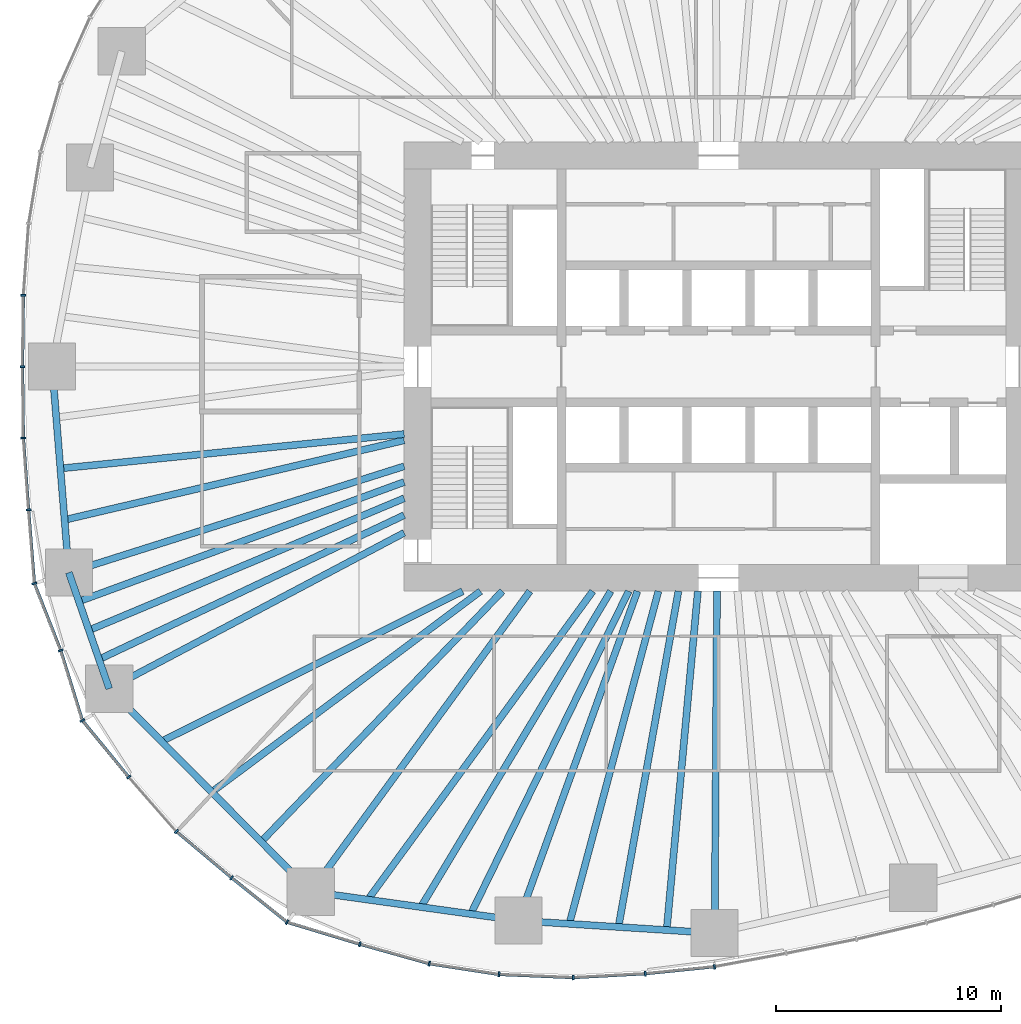
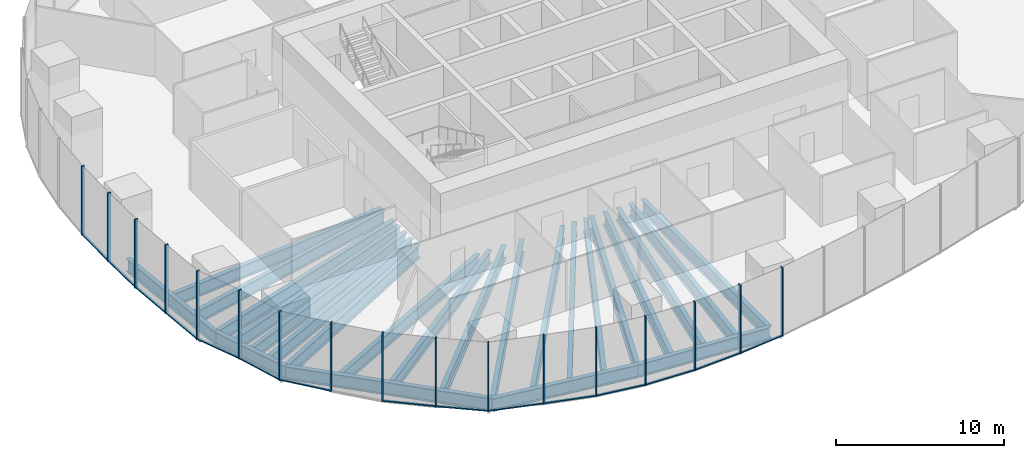
# One storey, part 2 of 20: 32 members, 24 beams, 7 elements without a shape of their own.
"""IFC4 building model written with IfcOpenShell, lengths in metres."""

import ifcopenshell
import ifcopenshell.guid

model = None  # the IFC model being written
_history = None  # IfcOwnerHistory: only IFC2X3 demands one
_inside = {}  # id of a spatial element -> (the spatial element, [elements in it])
_under = {}  # id of a project, library or spatial element -> (it, [spatial elements below it])
_declared = {}  # id of a project -> (the project, [libraries it declares])
_typed = {}  # id of a type object -> (the type object, [elements of that type])
_made_of = {}  # id of a material, layer set ... -> (it, [elements and type objects made of it])


def new_model(schema):
    """Start an empty IFC model of exactly this schema.

    Asked for "IFC4X3", IfcOpenShell would pick the latest addendum, in which some entities
    have other attributes; the version numbers below select the first issue.
    IFC2X3 requires an IfcOwnerHistory on every rooted entity: one is made here for all.
    """
    global model, _history
    if schema == "IFC4X3":
        model = ifcopenshell.file(schema_version=(4, 3, 0, 0))
    else:
        model = ifcopenshell.file(schema=schema)
    _inside.clear()
    _under.clear()
    _declared.clear()
    _typed.clear()
    _made_of.clear()
    _history = None
    if model.schema == "IFC2X3":
        org = make("IfcOrganization", Name="unknown")
        user = make(
            "IfcPersonAndOrganization",
            ThePerson=make("IfcPerson", FamilyName="unknown"),
            TheOrganization=org,
        )
        app = make(
            "IfcApplication",
            ApplicationDeveloper=org,
            Version="unknown",
            ApplicationFullName="unknown",
            ApplicationIdentifier="unknown",
        )
        _history = make(
            "IfcOwnerHistory",
            OwningUser=user,
            OwningApplication=app,
            ChangeAction="ADDED",
            CreationDate=0,
        )
    return model


def make(cls, **values):
    """One entity of the class cls with the attributes given. An attribute that is None is left unset."""
    return model.create_entity(
        cls, **{name: value for name, value in values.items() if value is not None}
    )


def rooted(cls, **values):
    """An entity with a GlobalId (a new one), such as an element, a storey or a relation."""
    return make(cls, GlobalId=ifcopenshell.guid.new(), OwnerHistory=_history, **values)


def si_unit(unit_type, name, prefix=None):
    """IfcSIUnit, for example si_unit("LENGTHUNIT", "METRE", prefix="MILLI")."""
    return make("IfcSIUnit", UnitType=unit_type, Prefix=prefix, Name=name)


def assignment(units):
    """IfcUnitAssignment: the units of a project."""
    return None if units is None else make("IfcUnitAssignment", Units=units)


def point(xyz):
    """IfcCartesianPoint."""
    return None if xyz is None else make("IfcCartesianPoint", Coordinates=xyz)


def direction(xyz):
    """IfcDirection."""
    return None if xyz is None else make("IfcDirection", DirectionRatios=xyz)


def frame(location, z_axis=None, x_axis=None):
    """IfcAxis2Placement3D, a coordinate frame: its origin and axes. An axis left out is left unset."""
    return make(
        "IfcAxis2Placement3D",
        Location=point(location),
        Axis=direction(z_axis),
        RefDirection=direction(x_axis),
    )


def frame_2d(location, x_axis=None):
    """IfcAxis2Placement2D, a coordinate frame in the plane: its origin and x axis."""
    return make(
        "IfcAxis2Placement2D", Location=point(location), RefDirection=direction(x_axis)
    )


def origin():
    """The frame at (0, 0, 0) with its axes left unset."""
    return frame((0.0, 0.0, 0.0))


def origin_2d():
    """The frame at (0, 0) in the plane with its x axis left unset."""
    return frame_2d((0.0, 0.0))


def place(relative_to, where):
    """IfcLocalPlacement: puts the frame where relative to a parent placement (None: the world)."""
    return make(
        "IfcLocalPlacement", PlacementRelTo=relative_to, RelativePlacement=where
    )


def context(
    kind, dimensions, precision=None, world=None, true_north=None, identifier=None
):
    """IfcGeometricRepresentationContext, for example the 3D "Model" context."""
    return make(
        "IfcGeometricRepresentationContext",
        ContextIdentifier=identifier,
        ContextType=kind,
        CoordinateSpaceDimension=dimensions,
        Precision=precision,
        WorldCoordinateSystem=world,
        TrueNorth=true_north,
    )


def subcontext(parent, identifier, kind, view, scale=None):
    """IfcGeometricRepresentationSubContext, for example "Body" below "Model"."""
    return make(
        "IfcGeometricRepresentationSubContext",
        ContextIdentifier=identifier,
        ContextType=kind,
        ParentContext=parent,
        TargetScale=scale,
        TargetView=view,
    )


def project(units=None, contexts=None):
    """IfcProject with its units and contexts."""
    return rooted(
        "IfcProject",
        Name="project",
        RepresentationContexts=contexts,
        UnitsInContext=assignment(units),
    )


def spatial(cls, under=None, at=None, **own):
    """A site, building, storey or space (cls), placed at a placement, below another one or the project."""
    s = rooted(cls, ObjectPlacement=at, **own)
    if under is not None:
        _under.setdefault(under.id(), (under, []))[1].append(s)
    return s


def profile(cls, at=None, kind="AREA", **sizes):
    """A parametric profile (cls). Its sizes go by their IFC names, for example OverallWidth=200.0."""
    return make(cls, ProfileType=kind, Position=at, **sizes)


def rectangle(**sizes):
    """IfcRectangleProfileDef."""
    return profile("IfcRectangleProfileDef", **sizes)


def i_section(**sizes):
    """IfcIShapeProfileDef."""
    return profile("IfcIShapeProfileDef", **sizes)


def extrude(swept, where, along, depth):
    """IfcExtrudedAreaSolid: the profile swept, set in the frame where, extruded along a direction by depth."""
    return make(
        "IfcExtrudedAreaSolid",
        SweptArea=swept,
        Position=where,
        ExtrudedDirection=direction(along),
        Depth=depth,
    )


def shape(context_of_items, identifier, shape_type, items):
    """IfcShapeRepresentation: the items that make up one representation, for example the "Body"."""
    return make(
        "IfcShapeRepresentation",
        ContextOfItems=context_of_items,
        RepresentationIdentifier=identifier,
        RepresentationType=shape_type,
        Items=items,
    )


def material(Name=None, Category=None):
    """IfcMaterial."""
    return make("IfcMaterial", Name=Name, Category=Category)


def material_profile(
    of_material, cross_section, Name=None, Category=None, Priority=None
):
    """IfcMaterialProfile: a cross section and its material."""
    return make(
        "IfcMaterialProfile",
        Name=Name,
        Material=of_material,
        Profile=cross_section,
        Priority=Priority,
        Category=Category,
    )


def profile_set(profiles, Name=None, composite=None):
    """IfcMaterialProfileSet."""
    return make(
        "IfcMaterialProfileSet",
        Name=Name,
        MaterialProfiles=profiles,
        CompositeProfile=composite,
    )


def made_of(thing, what):
    """Note that an element or type object is made of a material, layer set ...; save() writes the relation."""
    if what is not None:
        _made_of.setdefault(what.id(), (what, []))[1].append(thing)
    return thing


def type_object(cls, material=None, **own):
    """A type object (cls), such as IfcWallType, which elements share."""
    return made_of(rooted(cls, **own), material)


def element(
    cls,
    number,
    at=None,
    inside=None,
    cuts=None,
    type_object=None,
    material=None,
    context=None,
    identifier="Body",
    shape_type=None,
    held_by="IfcProductDefinitionShape",
    body=None,
    shapes=None,
    **own,
):
    """One element of the class cls, such as IfcWall. Its Tag is "e" and its number.

    at: its placement. inside: the storey or other place that contains it. cuts: it is an
    opening in that element (IfcRelVoidsElement). A single representation is given by context,
    identifier, shape_type and body (its items); several are given by shapes. held_by: the class
    of the entity that holds the representations. save() writes the other relations.
    """
    e = rooted(cls, Tag="e%d" % number, ObjectPlacement=at, **own)
    if body is not None:
        shapes = [shape(context, identifier, shape_type, body)]
    if shapes is not None:
        e.Representation = make(held_by, Representations=shapes)
    if inside is not None:
        _inside.setdefault(inside.id(), (inside, []))[1].append(e)
    if cuts is not None:
        rooted(
            "IfcRelVoidsElement", RelatingBuildingElement=cuts, RelatedOpeningElement=e
        )
    if type_object is not None:
        _typed.setdefault(type_object.id(), (type_object, []))[1].append(e)
    return made_of(e, material)


def aggregate(whole, parts):
    """IfcRelAggregates: a whole, such as a stair, and the parts it consists of."""
    return rooted("IfcRelAggregates", RelatingObject=whole, RelatedObjects=parts)


def save(model, path):
    """Write the relations noted so far, then the file.

    IfcRelAggregates (storeys below a building ...), IfcRelContainedInSpatialStructure (elements
    in a storey), IfcRelDefinesByType, IfcRelAssociatesMaterial and IfcRelDeclares: one each for
    every whole, place, type object, material and project.
    """
    for whole, parts in _under.values():
        aggregate(whole, parts)
    for where, things in _inside.values():
        rooted(
            "IfcRelContainedInSpatialStructure",
            RelatedElements=things,
            RelatingStructure=where,
        )
    for kind, things in _typed.values():
        rooted("IfcRelDefinesByType", RelatedObjects=things, RelatingType=kind)
    for what, things in _made_of.values():
        rooted("IfcRelAssociatesMaterial", RelatedObjects=things, RelatingMaterial=what)
    for by, libraries in _declared.values():
        rooted("IfcRelDeclares", RelatingContext=by, RelatedDefinitions=libraries)
    model.write(path)


model = new_model("IFC4")

# Units and contexts
model_context = context("Model", 3, precision=1e-05, world=origin(), true_north=direction((0.0, 1.0)))
body_context = subcontext(model_context, "Body", "Model", "MODEL_VIEW")
ifc_project = project(units=[si_unit("LENGTHUNIT", "METRE"), si_unit("AREAUNIT", "SQUARE_METRE"), si_unit("VOLUMEUNIT", "CUBIC_METRE"), si_unit("PLANEANGLEUNIT", "RADIAN"), si_unit("MASSUNIT", "GRAM", prefix="KILO")], contexts=[model_context])

# Site, building, storey
site_placement = place(None, origin())
site = spatial("IfcSite", under=ifc_project, at=site_placement, CompositionType="ELEMENT")
building_placement = place(site_placement, origin())
building = spatial("IfcBuilding", under=site, at=building_placement, Name="Ghaith Harvest Tower", CompositionType="ELEMENT")
storey_placement = place(building_placement, frame((0.0, 0.0, 20.0)))
storey = spatial("IfcBuildingStorey", under=building, at=storey_placement, Name="L04", CompositionType="ELEMENT", Elevation=20.0)

# Curtain wall, member
ifc_material_1 = material(Name="Black anodised aluminium and fritted glass", Category="aluminium")
curtain_wall_type = type_object("IfcCurtainWallType", Name="CW-F CURTAIN WALL", PredefinedType="NOTDEFINED", material=ifc_material_1)
curtain_wall_1_placement = place(storey_placement, origin())
curtain_wall_1 = element("IfcCurtainWall", 1, at=curtain_wall_1_placement, inside=storey, type_object=curtain_wall_type, Name="Curtain wall CW-F bay 10 L04", PredefinedType="NOTDEFINED")
ifc_material_2 = material(Name="Aluminium, black anodised", Category="aluminium")
ifc_material_profile_1 = material_profile(ifc_material_2, rectangle(XDim=0.080078125, YDim=0.219970703125, at=origin_2d()), Name="CW-F MULLION 80x220")
ifc_profile_set_1 = profile_set([ifc_material_profile_1], Name="Aluminium, black anodised")
member_type_1 = type_object("IfcMemberType", Name="CW-F MULLION 80x220", PredefinedType="MULLION", material=ifc_profile_set_1)
member_1_placement = place(storey_placement, frame((-30.95654296875, 3.177978515625, 0.0), z_axis=(0.0, 0.0, 1.0), x_axis=(-0.042427007767, -0.999099569118, 0.0)))
member_1 = element("IfcMember", 2, at=member_1_placement, type_object=member_type_1, Name="CW-F mullion 3 bay 10 L04", PredefinedType="MULLION", context=body_context, shape_type="SweptSolid", body=[
    extrude(rectangle(XDim=0.080078125, YDim=0.219970703125, at=origin_2d()), origin(), (0.0, 0.0, 1.0), 5.0),
])

# Curtain wall, members
curtain_wall_2_placement = place(storey_placement, origin())
curtain_wall_2 = element("IfcCurtainWall", 3, at=curtain_wall_2_placement, inside=storey, type_object=curtain_wall_type, Name="Curtain wall CW-F bay 11 L04", PredefinedType="NOTDEFINED")
member_2_placement = place(storey_placement, frame((-30.9951171875, 0.0, 0.0), z_axis=(0.0, 0.0, 1.0), x_axis=(1.4e-10, -1.0, 0.0)))
member_2 = element("IfcMember", 4, at=member_2_placement, type_object=member_type_1, Name="CW-F mullion 1 bay 11 L04", PredefinedType="MULLION", context=body_context, shape_type="SweptSolid", body=[
    extrude(rectangle(XDim=0.080078125, YDim=0.219970703125, at=origin_2d()), origin(), (0.0, 0.0, 1.0), 5.0),
])
member_3_placement = place(storey_placement, frame((-30.95654296875, -3.177978515625, 0.0), z_axis=(0.0, 0.0, 1.0), x_axis=(0.042427007872, -0.999099569114, 0.0)))
member_3 = element("IfcMember", 5, at=member_3_placement, type_object=member_type_1, Name="CW-F mullion 2 bay 11 L04", PredefinedType="MULLION", context=body_context, shape_type="SweptSolid", body=[
    extrude(rectangle(XDim=0.080078125, YDim=0.219970703125, at=origin_2d()), origin(), (0.0, 0.0, 1.0), 5.0),
])
member_4_placement = place(storey_placement, frame((-30.724365234375, -6.37548828125, 0.0), z_axis=(0.0, 0.0, 1.0), x_axis=(0.07568573288, -0.997131721408, 0.0)))
member_4 = element("IfcMember", 6, at=member_4_placement, type_object=member_type_1, Name="CW-F mullion 3 bay 11 L04", PredefinedType="MULLION", context=body_context, shape_type="SweptSolid", body=[
    extrude(rectangle(XDim=0.080078125, YDim=0.219970703125, at=origin_2d()), origin(), (0.0, 0.0, 1.0), 5.0),
])

curtain_wall_3_placement = place(storey_placement, origin())
curtain_wall_3 = element("IfcCurtainWall", 7, at=curtain_wall_3_placement, inside=storey, type_object=curtain_wall_type, Name="Curtain wall CW-F bay 12 L04", PredefinedType="NOTDEFINED")
member_5_placement = place(storey_placement, frame((-30.46484375, -9.65478515625, 0.0), z_axis=(0.0, 0.0, 1.0), x_axis=(0.222967363441, -0.974825910017, 0.0)))
member_5 = element("IfcMember", 8, at=member_5_placement, type_object=member_type_1, Name="CW-F mullion 1 bay 12 L04", PredefinedType="MULLION", context=body_context, shape_type="SweptSolid", body=[
    extrude(rectangle(XDim=0.080078125, YDim=0.219970703125, at=origin_2d()), origin(), (0.0, 0.0, 1.0), 5.0),
])
member_6_placement = place(storey_placement, frame((-29.29248046875, -12.63525390625, 0.0), z_axis=(0.0, 0.0, 1.0), x_axis=(0.330700518925, -0.943735750506, 0.0)))
member_6 = element("IfcMember", 9, at=member_6_placement, type_object=member_type_1, Name="CW-F mullion 2 bay 12 L04", PredefinedType="MULLION", context=body_context, shape_type="SweptSolid", body=[
    extrude(rectangle(XDim=0.080078125, YDim=0.219970703125, at=origin_2d()), origin(), (0.0, 0.0, 1.0), 5.0),
])
member_7_placement = place(storey_placement, frame((-28.3271484375, -15.7548828125, 0.0), z_axis=(0.0, 0.0, 1.0), x_axis=(0.473265082527, -0.880920065421, 0.0)))
member_7 = element("IfcMember", 10, at=member_7_placement, type_object=member_type_1, Name="CW-F mullion 3 bay 12 L04", PredefinedType="MULLION", context=body_context, shape_type="SweptSolid", body=[
    extrude(rectangle(XDim=0.080078125, YDim=0.219970703125, at=origin_2d()), origin(), (0.0, 0.0, 1.0), 5.0),
])

curtain_wall_4_placement = place(storey_placement, origin())
curtain_wall_4 = element("IfcCurtainWall", 11, at=curtain_wall_4_placement, inside=storey, type_object=curtain_wall_type, Name="Curtain wall CW-F bay 13 L04", PredefinedType="NOTDEFINED")
member_8_placement = place(storey_placement, frame((-26.26318359375, -18.274169921875, 0.0), z_axis=(0.0, 0.0, 1.0), x_axis=(0.646523538748, -0.762894038412, 0.0)))
member_8 = element("IfcMember", 12, at=member_8_placement, type_object=member_type_1, Name="CW-F mullion 1 bay 13 L04", PredefinedType="MULLION", context=body_context, shape_type="SweptSolid", body=[
    extrude(rectangle(XDim=0.080078125, YDim=0.219970703125, at=origin_2d()), origin(), (0.0, 0.0, 1.0), 5.0),
])
member_9_placement = place(storey_placement, frame((-24.139404296875, -20.696533203125, 0.0), z_axis=(0.0, 0.0, 1.0), x_axis=(0.714663248554, -0.699468684907, 0.0)))
member_9 = element("IfcMember", 13, at=member_9_placement, type_object=member_type_1, Name="CW-F mullion 2 bay 13 L04", PredefinedType="MULLION", context=body_context, shape_type="SweptSolid", body=[
    extrude(rectangle(XDim=0.080078125, YDim=0.219970703125, at=origin_2d()), origin(), (0.0, 0.0, 1.0), 5.0),
])
member_10_placement = place(storey_placement, frame((-21.681640625, -22.758056640625, 0.0), z_axis=(0.0, 0.0, 1.0), x_axis=(0.773138721505, -0.634236956751, 0.0)))
member_10 = element("IfcMember", 14, at=member_10_placement, type_object=member_type_1, Name="CW-F mullion 3 bay 13 L04", PredefinedType="MULLION", context=body_context, shape_type="SweptSolid", body=[
    extrude(rectangle(XDim=0.080078125, YDim=0.219970703125, at=origin_2d()), origin(), (0.0, 0.0, 1.0), 5.0),
])

curtain_wall_5_placement = place(storey_placement, origin())
curtain_wall_5 = element("IfcCurtainWall", 15, at=curtain_wall_5_placement, inside=storey, type_object=curtain_wall_type, Name="Curtain wall CW-F bay 14 L04", PredefinedType="NOTDEFINED")
member_11_placement = place(storey_placement, frame((-19.212646484375, -24.73828125, 0.0), z_axis=(0.0, 0.0, 1.0), x_axis=(0.887912253774, -0.460012858079, 0.0)))
member_11 = element("IfcMember", 16, at=member_11_placement, type_object=member_type_1, Name="CW-F mullion 1 bay 14 L04", PredefinedType="MULLION", context=body_context, shape_type="SweptSolid", body=[
    extrude(rectangle(XDim=0.080078125, YDim=0.219970703125, at=origin_2d()), origin(), (0.0, 0.0, 1.0), 5.0),
])
member_12_placement = place(storey_placement, frame((-15.97119140625, -25.716552734375, 0.0), z_axis=(0.0, 0.0, 1.0), x_axis=(0.960008876539, -0.279969564356, 0.0)))
member_12 = element("IfcMember", 17, at=member_12_placement, type_object=member_type_1, Name="CW-F mullion 2 bay 14 L04", PredefinedType="MULLION", context=body_context, shape_type="SweptSolid", body=[
    extrude(rectangle(XDim=0.080078125, YDim=0.219970703125, at=origin_2d()), origin(), (0.0, 0.0, 1.0), 5.0),
])
member_13_placement = place(storey_placement, frame((-12.880615234375, -26.5849609375, 0.0), z_axis=(0.0, 0.0, 1.0), x_axis=(0.977207016024, -0.212288595628, 0.0)))
member_13 = element("IfcMember", 18, at=member_13_placement, type_object=member_type_1, Name="CW-F mullion 3 bay 14 L04", PredefinedType="MULLION", context=body_context, shape_type="SweptSolid", body=[
    extrude(rectangle(XDim=0.080078125, YDim=0.219970703125, at=origin_2d()), origin(), (0.0, 0.0, 1.0), 5.0),
])

curtain_wall_6_placement = place(storey_placement, origin())
curtain_wall_6 = element("IfcCurtainWall", 19, at=curtain_wall_6_placement, inside=storey, type_object=curtain_wall_type, Name="Curtain wall CW-F bay 15 L04", PredefinedType="NOTDEFINED")
member_14_placement = place(storey_placement, frame((-9.7744140625, -27.062744140625, 0.0), z_axis=(0.0, 0.0, 1.0), x_axis=(0.995408459417, -0.095718331168, 0.0)))
member_14 = element("IfcMember", 20, at=member_14_placement, type_object=member_type_1, Name="CW-F mullion 1 bay 15 L04", PredefinedType="MULLION", context=body_context, shape_type="SweptSolid", body=[
    extrude(rectangle(XDim=0.080078125, YDim=0.219970703125, at=origin_2d()), origin(), (0.0, 0.0, 1.0), 5.0),
])
member_15_placement = place(storey_placement, frame((-6.465087890625, -27.20166015625, 0.0), z_axis=(0.0, 0.0, 1.0), x_axis=(0.999987206373, 0.005058368251, 0.0)))
member_15 = element("IfcMember", 21, at=member_15_placement, type_object=member_type_1, Name="CW-F mullion 2 bay 15 L04", PredefinedType="MULLION", context=body_context, shape_type="SweptSolid", body=[
    extrude(rectangle(XDim=0.080078125, YDim=0.219970703125, at=origin_2d()), origin(), (0.0, 0.0, 1.0), 5.0),
])
member_16_placement = place(storey_placement, frame((-3.261962890625, -27.02978515625, 0.0), z_axis=(0.0, 0.0, 1.0), x_axis=(0.997037536276, 0.07691652135, 0.0)))
member_16 = element("IfcMember", 22, at=member_16_placement, type_object=member_type_1, Name="CW-F mullion 3 bay 15 L04", PredefinedType="MULLION", context=body_context, shape_type="SweptSolid", body=[
    extrude(rectangle(XDim=0.080078125, YDim=0.219970703125, at=origin_2d()), origin(), (0.0, 0.0, 1.0), 5.0),
])

# Curtain wall, member
curtain_wall_7_placement = place(storey_placement, origin())
curtain_wall_7 = element("IfcCurtainWall", 23, at=curtain_wall_7_placement, inside=storey, type_object=curtain_wall_type, Name="Curtain wall CW-F bay 16 L04", PredefinedType="NOTDEFINED")
member_17_placement = place(storey_placement, frame((-0.182861328125, -26.717041015625, 0.0), z_axis=(0.0, 0.0, 1.0), x_axis=(0.98971187144, 0.143074845907, 0.0)))
member_17 = element("IfcMember", 24, at=member_17_placement, type_object=member_type_1, Name="CW-F mullion 1 bay 16 L04", PredefinedType="MULLION", context=body_context, shape_type="SweptSolid", body=[
    extrude(rectangle(XDim=0.080078125, YDim=0.219970703125, at=origin_2d()), origin(), (0.0, 0.0, 1.0), 5.0),
])
aggregate(curtain_wall_7, [member_17])

# Member
ifc_material_3 = material(Name="Aluminium, black anodised", Category="aluminium")
ifc_material_profile_2 = material_profile(ifc_material_3, rectangle(XDim=0.139892578125, YDim=0.080078125, at=origin_2d()), Name="CW-F TRANSOM 140x80")
ifc_profile_set_2 = profile_set([ifc_material_profile_2], Name="Aluminium, black anodised")
member_type_2 = type_object("IfcMemberType", Name="CW-F TRANSOM 140x80", PredefinedType="USERDEFINED", material=ifc_profile_set_2)
member_18_placement = place(storey_placement, frame((-30.95703125, 3.137939453125, 0.0400390625), z_axis=(-0.012135602457, -0.999926360865, 0.0), x_axis=(0.999926360865, -0.012135602457, 0.0)))
member_18 = element("IfcMember", 25, at=member_18_placement, type_object=member_type_2, Name="CW-F transom 3 bay 10 L04", ObjectType="TRANSOM", PredefinedType="USERDEFINED", context=body_context, shape_type="SweptSolid", body=[
    extrude(rectangle(XDim=0.139892578125, YDim=0.080078125, at=origin_2d()), origin(), (0.0, 0.0, 1.0), 3.09814453125),
])

aggregate(curtain_wall_1, [member_1, member_18])

member_19_placement = place(storey_placement, frame((-30.99462890625, -0.0400390625, 0.0400390625), z_axis=(0.012135602457, -0.999926360865, 0.0), x_axis=(0.999926360865, 0.012135602457, 0.0)))
member_19 = element("IfcMember", 26, at=member_19_placement, type_object=member_type_2, Name="CW-F transom 1 bay 11 L04", ObjectType="TRANSOM", PredefinedType="USERDEFINED", context=body_context, shape_type="SweptSolid", body=[
    extrude(rectangle(XDim=0.139892578125, YDim=0.080078125, at=origin_2d()), origin(), (0.0, 0.0, 1.0), 3.09814453125),
])

member_20_placement = place(storey_placement, frame((-30.95361328125, -3.2177734375, 0.0400390625), z_axis=(0.072473547161, -0.997370334912, 0.0), x_axis=(0.997370334912, 0.072473547161, 0.0)))
member_20 = element("IfcMember", 27, at=member_20_placement, type_object=member_type_2, Name="CW-F transom 2 bay 11 L04", ObjectType="TRANSOM", PredefinedType="USERDEFINED", context=body_context, shape_type="SweptSolid", body=[
    extrude(rectangle(XDim=0.139892578125, YDim=0.080078125, at=origin_2d()), origin(), (0.0, 0.0, 1.0), 3.126220703125),
])

member_21_placement = place(storey_placement, frame((-30.72119140625, -6.415283203125, 0.0400390625), z_axis=(0.078877539502, -0.996884313129, 0.0), x_axis=(0.996884313129, 0.078877539502, 0.0)))
member_21 = element("IfcMember", 28, at=member_21_placement, type_object=member_type_2, Name="CW-F transom 3 bay 11 L04", ObjectType="TRANSOM", PredefinedType="USERDEFINED", context=body_context, shape_type="SweptSolid", body=[
    extrude(rectangle(XDim=0.139892578125, YDim=0.080078125, at=origin_2d()), origin(), (0.0, 0.0, 1.0), 3.209716796875),
])

aggregate(curtain_wall_2, [member_2, member_19, member_3, member_20, member_4, member_21])

member_22_placement = place(storey_placement, frame((-30.4501953125, -9.692138671875, 0.0400390625), z_axis=(0.366046617161, -0.93059651518, 0.0), x_axis=(0.93059651518, 0.366046617161, 0.0)))
member_22 = element("IfcMember", 29, at=member_22_placement, type_object=member_type_2, Name="CW-F transom 1 bay 12 L04", ObjectType="TRANSOM", PredefinedType="USERDEFINED", context=body_context, shape_type="SweptSolid", body=[
    extrude(rectangle(XDim=0.139892578125, YDim=0.080078125, at=origin_2d()), origin(), (0.0, 0.0, 1.0), 3.122802734375),
])

member_23_placement = place(storey_placement, frame((-29.28076171875, -12.673583984375, 0.0400390625), z_axis=(0.295598800908, -0.955312173534, 0.0), x_axis=(0.955312173534, 0.295598800908, 0.0)))
member_23 = element("IfcMember", 30, at=member_23_placement, type_object=member_type_2, Name="CW-F transom 2 bay 12 L04", ObjectType="TRANSOM", PredefinedType="USERDEFINED", context=body_context, shape_type="SweptSolid", body=[
    extrude(rectangle(XDim=0.139892578125, YDim=0.080078125, at=origin_2d()), origin(), (0.0, 0.0, 1.0), 3.185546875),
])

member_24_placement = place(storey_placement, frame((-28.302001953125, -15.785888671875, 0.0400390625), z_axis=(0.633790042943, -0.773505126982, 0.0), x_axis=(0.773505126982, 0.633790042943, 0.0)))
member_24 = element("IfcMember", 31, at=member_24_placement, type_object=member_type_2, Name="CW-F transom 3 bay 12 L04", ObjectType="TRANSOM", PredefinedType="USERDEFINED", context=body_context, shape_type="SweptSolid", body=[
    extrude(rectangle(XDim=0.139892578125, YDim=0.080078125, at=origin_2d()), origin(), (0.0, 0.0, 1.0), 3.1767578125),
])

aggregate(curtain_wall_3, [member_5, member_22, member_6, member_23, member_7, member_24])

member_25_placement = place(storey_placement, frame((-24.10888671875, -20.72216796875, 0.0400390625), z_axis=(0.766144434184, -0.642668426149, 0.0), x_axis=(0.642668426149, 0.766144434184, 0.0)))
member_25 = element("IfcMember", 32, at=member_25_placement, type_object=member_type_2, Name="CW-F transom 2 bay 13 L04", ObjectType="TRANSOM", PredefinedType="USERDEFINED", context=body_context, shape_type="SweptSolid", body=[
    extrude(rectangle(XDim=0.139892578125, YDim=0.080078125, at=origin_2d()), origin(), (0.0, 0.0, 1.0), 3.1279296875),
])

member_26_placement = place(storey_placement, frame((-21.650634765625, -22.783203125, 0.0400390625), z_axis=(0.780181223133, -0.625553562112, 0.0), x_axis=(0.625553562112, 0.780181223133, 0.0)))
member_26 = element("IfcMember", 33, at=member_26_placement, type_object=member_type_2, Name="CW-F transom 3 bay 13 L04", ObjectType="TRANSOM", PredefinedType="USERDEFINED", context=body_context, shape_type="SweptSolid", body=[
    extrude(rectangle(XDim=0.139892578125, YDim=0.080078125, at=origin_2d()), origin(), (0.0, 0.0, 1.0), 3.085205078125),
])

aggregate(curtain_wall_4, [member_8, member_9, member_25, member_10, member_26])

member_27_placement = place(storey_placement, frame((-19.17431640625, -24.749755859375, 0.0400390625), z_axis=(0.957335035376, -0.288980328121, 0.0), x_axis=(0.288980328121, 0.957335035376, 0.0)))
member_27 = element("IfcMember", 34, at=member_27_placement, type_object=member_type_2, Name="CW-F transom 1 bay 14 L04", ObjectType="TRANSOM", PredefinedType="USERDEFINED", context=body_context, shape_type="SweptSolid", body=[
    extrude(rectangle(XDim=0.139892578125, YDim=0.080078125, at=origin_2d()), origin(), (0.0, 0.0, 1.0), 3.305908203125),
])

member_28_placement = place(storey_placement, frame((-15.9326171875, -25.727294921875, 0.0400390625), z_axis=(0.962727128991, -0.270474536888, 0.0), x_axis=(0.270474536888, 0.962727128991, 0.0)))
member_28 = element("IfcMember", 35, at=member_28_placement, type_object=member_type_2, Name="CW-F transom 2 bay 14 L04", ObjectType="TRANSOM", PredefinedType="USERDEFINED", context=body_context, shape_type="SweptSolid", body=[
    extrude(rectangle(XDim=0.139892578125, YDim=0.080078125, at=origin_2d()), origin(), (0.0, 0.0, 1.0), 3.13037109375),
])

member_29_placement = place(storey_placement, frame((-12.841064453125, -26.591064453125, 0.0400390625), z_axis=(0.988378147633, -0.152015253451, 0.0), x_axis=(0.152015253451, 0.988378147633, 0.0)))
member_29 = element("IfcMember", 36, at=member_29_placement, type_object=member_type_2, Name="CW-F transom 3 bay 14 L04", ObjectType="TRANSOM", PredefinedType="USERDEFINED", context=body_context, shape_type="SweptSolid", body=[
    extrude(rectangle(XDim=0.139892578125, YDim=0.080078125, at=origin_2d()), origin(), (0.0, 0.0, 1.0), 3.062744140625),
])

aggregate(curtain_wall_5, [member_11, member_27, member_12, member_28, member_13, member_29])

member_30_placement = place(storey_placement, frame((-9.734375, -27.064453125, 0.0400390625), z_axis=(0.999117688764, -0.04199814281, 0.0), x_axis=(0.04199814281, 0.999117688764, 0.0)))
member_30 = element("IfcMember", 37, at=member_30_placement, type_object=member_type_2, Name="CW-F transom 1 bay 15 L04", ObjectType="TRANSOM", PredefinedType="USERDEFINED", context=body_context, shape_type="SweptSolid", body=[
    extrude(rectangle(XDim=0.139892578125, YDim=0.080078125, at=origin_2d()), origin(), (0.0, 0.0, 1.0), 3.232177734375),
])

member_31_placement = place(storey_placement, frame((-6.42529296875, -27.19970703125, 0.0400390625), z_axis=(0.99856142387, 0.053619798202, 0.0), x_axis=(-0.053619798202, 0.99856142387, 0.0)))
member_31 = element("IfcMember", 38, at=member_31_placement, type_object=member_type_2, Name="CW-F transom 2 bay 15 L04", ObjectType="TRANSOM", PredefinedType="USERDEFINED", context=body_context, shape_type="SweptSolid", body=[
    extrude(rectangle(XDim=0.139892578125, YDim=0.080078125, at=origin_2d()), origin(), (0.0, 0.0, 1.0), 3.1279296875),
])

member_32_placement = place(storey_placement, frame((-3.22216796875, -27.02587890625, 0.0400390625), z_axis=(0.994880435036, 0.101058992587, 0.0), x_axis=(-0.101058992587, 0.994880435036, 0.0)))
member_32 = element("IfcMember", 39, at=member_32_placement, type_object=member_type_2, Name="CW-F transom 3 bay 15 L04", ObjectType="TRANSOM", PredefinedType="USERDEFINED", context=body_context, shape_type="SweptSolid", body=[
    extrude(rectangle(XDim=0.139892578125, YDim=0.080078125, at=origin_2d()), origin(), (0.0, 0.0, 1.0), 3.014892578125),
])

aggregate(curtain_wall_6, [member_14, member_30, member_15, member_31, member_16, member_32])

# Beams
ifc_material_4 = material(Name="Steel ASTM A992 Grade 50", Category="steel")
ifc_material_profile_3 = material_profile(ifc_material_4, i_section(OverallWidth=0.306884765625, OverallDepth=0.94189453125, WebThickness=0.022216796875, FlangeThickness=0.039794921875, at=origin_2d()), Name="W920X345")
ifc_profile_set_3 = profile_set([ifc_material_profile_3], Name="Steel ASTM A992 Grade 50")
beam_type_1 = type_object("IfcBeamType", Name="E920-345 W920X345", PredefinedType="SPANDREL", material=ifc_profile_set_3)
beam_1_placement = place(storey_placement, frame((-29.675048828125, 0.0, -0.6708984375), z_axis=(0.081006863421, -0.996713543642, 0.0), x_axis=(0.996713543642, 0.081006863421, 0.0)))
element("IfcBeam", 40, at=beam_1_placement, inside=storey, type_object=beam_type_1, Name="Edge beam E11 L04", PredefinedType="SPANDREL", context=body_context, shape_type="SweptSolid", body=[
    extrude(i_section(OverallWidth=0.306884765625, OverallDepth=0.94189453125, WebThickness=0.022216796875, FlangeThickness=0.039794921875, at=origin_2d()), origin(), (0.0, 0.0, 1.0), 9.1982421875),
])
beam_2_placement = place(storey_placement, frame((-28.929931640625, -9.16796875, -0.6708984375), z_axis=(0.328278550319, -0.944580961803, 0.0), x_axis=(0.944580961803, 0.328278550319, 0.0)))
element("IfcBeam", 41, at=beam_2_placement, inside=storey, type_object=beam_type_1, Name="Edge beam E12 L04", PredefinedType="SPANDREL", context=body_context, shape_type="SweptSolid", body=[
    extrude(i_section(OverallWidth=0.306884765625, OverallDepth=0.94189453125, WebThickness=0.022216796875, FlangeThickness=0.039794921875, at=origin_2d()), origin(), (0.0, 0.0, 1.0), 5.4765625),
])
beam_3_placement = place(storey_placement, frame((-27.132080078125, -14.341064453125, -0.6708984375), z_axis=(0.704562513714, -0.709641926798, 0.0), x_axis=(0.709641926798, 0.704562513714, 0.0)))
element("IfcBeam", 42, at=beam_3_placement, inside=storey, type_object=beam_type_1, Name="Edge beam E13 L04", PredefinedType="SPANDREL", context=body_context, shape_type="SweptSolid", body=[
    extrude(i_section(OverallWidth=0.306884765625, OverallDepth=0.94189453125, WebThickness=0.022216796875, FlangeThickness=0.039794921875, at=origin_2d()), origin(), (0.0, 0.0, 1.0), 12.737060546875),
])
beam_4_placement = place(storey_placement, frame((-18.157958984375, -23.3798828125, -0.6708984375), z_axis=(0.990441143901, -0.137936001352, 0.0), x_axis=(0.137936001352, 0.990441143901, 0.0)))
element("IfcBeam", 43, at=beam_4_placement, inside=storey, type_object=beam_type_1, Name="Edge beam E14 L04", PredefinedType="SPANDREL", context=body_context, shape_type="SweptSolid", body=[
    extrude(i_section(OverallWidth=0.306884765625, OverallDepth=0.94189453125, WebThickness=0.022216796875, FlangeThickness=0.039794921875, at=origin_2d()), origin(), (0.0, 0.0, 1.0), 9.33837890625),
])
beam_5_placement = place(storey_placement, frame((-8.908935546875, -24.66796875, -0.6708984375), z_axis=(0.99797963184, -0.063534671101, 0.0), x_axis=(0.063534671101, 0.99797963184, 0.0)))
element("IfcBeam", 44, at=beam_5_placement, inside=storey, type_object=beam_type_1, Name="Edge beam E15 L04", PredefinedType="SPANDREL", context=body_context, shape_type="SweptSolid", body=[
    extrude(i_section(OverallWidth=0.306884765625, OverallDepth=0.94189453125, WebThickness=0.022216796875, FlangeThickness=0.039794921875, at=origin_2d()), origin(), (0.0, 0.0, 1.0), 8.75341796875),
])
ifc_material_5 = material(Name="Steel ASTM A992 Grade 50", Category="steel")
ifc_material_profile_4 = material_profile(ifc_material_5, i_section(OverallWidth=0.306884765625, OverallDepth=0.94189453125, WebThickness=0.022216796875, FlangeThickness=0.039794921875, at=origin_2d()), Name="W920X345")
ifc_profile_set_4 = profile_set([ifc_material_profile_4], Name="Steel ASTM A992 Grade 50")
beam_type_2 = type_object("IfcBeamType", Name="G920-345 W920X345", PredefinedType="BEAM", material=ifc_profile_set_4)
beam_6_placement = place(storey_placement, frame((-14.0, -4.43701171875, -0.6708984375), z_axis=(-0.953284407194, -0.302074227636, 0.0), x_axis=(0.302074227636, -0.953284407194, 0.0)))
element("IfcBeam", 45, at=beam_6_placement, inside=storey, type_object=beam_type_2, Name="Radial girder G12 L04", PredefinedType="BEAM", context=body_context, shape_type="SweptSolid", body=[
    extrude(i_section(OverallWidth=0.306884765625, OverallDepth=0.94189453125, WebThickness=0.022216796875, FlangeThickness=0.039794921875, at=origin_2d()), origin(), (0.0, 0.0, 1.0), 15.66162109375),
])
beam_7_placement = place(storey_placement, frame((-14.0, -7.39990234375, -0.6708984375), z_axis=(-0.884097171481, -0.467303104397, 0.0), x_axis=(0.467303104397, -0.884097171481, 0.0)))
element("IfcBeam", 46, at=beam_7_placement, inside=storey, type_object=beam_type_2, Name="Radial girder G13 L04", PredefinedType="BEAM", context=body_context, shape_type="SweptSolid", body=[
    extrude(i_section(OverallWidth=0.306884765625, OverallDepth=0.94189453125, WebThickness=0.022216796875, FlangeThickness=0.039794921875, at=origin_2d()), origin(), (0.0, 0.0, 1.0), 14.853759765625),
])
beam_8_placement = place(storey_placement, frame((-8.39990234375, -10.0, -0.6708984375), z_axis=(-0.589246749374, -0.807953134997, 0.0), x_axis=(0.807953134997, -0.589246749374, 0.0)))
element("IfcBeam", 47, at=beam_8_placement, inside=storey, type_object=beam_type_2, Name="Radial girder G14 L04", PredefinedType="BEAM", context=body_context, shape_type="SweptSolid", body=[
    extrude(i_section(OverallWidth=0.306884765625, OverallDepth=0.94189453125, WebThickness=0.022216796875, FlangeThickness=0.039794921875, at=origin_2d()), origin(), (0.0, 0.0, 1.0), 16.560302734375),
])
beam_9_placement = place(storey_placement, frame((-3.61181640625, -10.0, -0.6708984375), z_axis=(-0.339664467784, -0.940546675782, 0.0), x_axis=(0.940546675782, -0.339664467784, 0.0)))
element("IfcBeam", 48, at=beam_9_placement, inside=storey, type_object=beam_type_2, Name="Radial girder G15 L04", PredefinedType="BEAM", context=body_context, shape_type="SweptSolid", body=[
    extrude(i_section(OverallWidth=0.306884765625, OverallDepth=0.94189453125, WebThickness=0.022216796875, FlangeThickness=0.039794921875, at=origin_2d()), origin(), (0.0, 0.0, 1.0), 15.59521484375),
])
beam_10_placement = place(storey_placement, frame((-0.068359375, -10.0, -0.6708984375), z_axis=(-0.006879467722, -0.999976336182, 0.0), x_axis=(0.999976336182, -0.006879467722, 0.0)))
element("IfcBeam", 49, at=beam_10_placement, inside=storey, type_object=beam_type_2, Name="Radial girder G16 L04", PredefinedType="BEAM", context=body_context, shape_type="SweptSolid", body=[
    extrude(i_section(OverallWidth=0.306884765625, OverallDepth=0.94189453125, WebThickness=0.022216796875, FlangeThickness=0.039794921875, at=origin_2d()), origin(), (0.0, 0.0, 1.0), 15.224365234375),
])
ifc_material_6 = material(Name="Steel ASTM A992 Grade 50", Category="steel")
ifc_material_profile_5 = material_profile(ifc_material_6, i_section(OverallWidth=0.31005859375, OverallDepth=0.927001953125, WebThickness=0.019287109375, FlangeThickness=0.031982421875, at=origin_2d()), Name="W920X289")
ifc_profile_set_5 = profile_set([ifc_material_profile_5], Name="Steel ASTM A992 Grade 50")
beam_type_3 = type_object("IfcBeamType", Name="J920-289 W920X289", PredefinedType="JOIST", material=ifc_profile_set_5)
beam_11_placement = place(storey_placement, frame((-14.0, -3.0, -0.66357421875), z_axis=(-0.995023982133, -0.099635711366, 0.0), x_axis=(0.099635711366, -0.995023982133, 0.0)))
element("IfcBeam", 50, at=beam_11_placement, inside=storey, type_object=beam_type_3, Name="Joist J11.2 L04", PredefinedType="JOIST", context=body_context, shape_type="SweptSolid", body=[
    extrude(i_section(OverallWidth=0.31005859375, OverallDepth=0.927001953125, WebThickness=0.019287109375, FlangeThickness=0.031982421875, at=origin_2d()), origin(), (0.0, 0.0, 1.0), 15.38330078125),
])
beam_12_placement = place(storey_placement, frame((-14.0, -3.280517578125, -0.66357421875), z_axis=(-0.973622531394, -0.228164778969, 0.0), x_axis=(0.228164778969, -0.973622531394, 0.0)))
element("IfcBeam", 51, at=beam_12_placement, inside=storey, type_object=beam_type_3, Name="Joist J11.3 L04", PredefinedType="JOIST", context=body_context, shape_type="SweptSolid", body=[
    extrude(i_section(OverallWidth=0.31005859375, OverallDepth=0.927001953125, WebThickness=0.019287109375, FlangeThickness=0.031982421875, at=origin_2d()), origin(), (0.0, 0.0, 1.0), 15.5302734375),
])
beam_13_placement = place(storey_placement, frame((-14.0, -5.137939453125, -0.66357421875), z_axis=(-0.938772784742, -0.344536875569, 0.0), x_axis=(0.344536875569, -0.938772784742, 0.0)))
element("IfcBeam", 52, at=beam_13_placement, inside=storey, type_object=beam_type_3, Name="Joist J12.1 L04", PredefinedType="JOIST", context=body_context, shape_type="SweptSolid", body=[
    extrude(i_section(OverallWidth=0.31005859375, OverallDepth=0.927001953125, WebThickness=0.019287109375, FlangeThickness=0.031982421875, at=origin_2d()), origin(), (0.0, 0.0, 1.0), 15.427734375),
])
beam_14_placement = place(storey_placement, frame((-14.0, -5.862548828125, -0.66357421875), z_axis=(-0.922389547545, -0.386260951404, 0.0), x_axis=(0.386260951404, -0.922389547545, 0.0)))
element("IfcBeam", 53, at=beam_14_placement, inside=storey, type_object=beam_type_3, Name="Joist J12.2 L04", PredefinedType="JOIST", context=body_context, shape_type="SweptSolid", body=[
    extrude(i_section(OverallWidth=0.31005859375, OverallDepth=0.927001953125, WebThickness=0.019287109375, FlangeThickness=0.031982421875, at=origin_2d()), origin(), (0.0, 0.0, 1.0), 15.216796875),
])
beam_15_placement = place(storey_placement, frame((-14.0, -6.614990234375, -0.66357421875), z_axis=(-0.904152605228, -0.427209628239, 0.0), x_axis=(0.427209628239, -0.904152605228, 0.0)))
element("IfcBeam", 54, at=beam_15_placement, inside=storey, type_object=beam_type_3, Name="Joist J12.3 L04", PredefinedType="JOIST", context=body_context, shape_type="SweptSolid", body=[
    extrude(i_section(OverallWidth=0.31005859375, OverallDepth=0.927001953125, WebThickness=0.019287109375, FlangeThickness=0.031982421875, at=origin_2d()), origin(), (0.0, 0.0, 1.0), 15.0263671875),
])
beam_16_placement = place(storey_placement, frame((-11.39990234375, -10.0, -0.66357421875), z_axis=(-0.894746445211, -0.446574516495, 0.0), x_axis=(0.446574516495, -0.894746445211, 0.0)))
element("IfcBeam", 55, at=beam_16_placement, inside=storey, type_object=beam_type_3, Name="Joist J13.1 L04", PredefinedType="JOIST", context=body_context, shape_type="SweptSolid", body=[
    extrude(i_section(OverallWidth=0.31005859375, OverallDepth=0.927001953125, WebThickness=0.019287109375, FlangeThickness=0.031982421875, at=origin_2d()), origin(), (0.0, 0.0, 1.0), 14.977783203125),
])
beam_17_placement = place(storey_placement, frame((-10.60009765625, -10.0, -0.66357421875), z_axis=(-0.800995319048, -0.598670609653, 0.0), x_axis=(0.598670609653, -0.800995319048, 0.0)))
element("IfcBeam", 56, at=beam_17_placement, inside=storey, type_object=beam_type_3, Name="Joist J13.2 L04", PredefinedType="JOIST", context=body_context, shape_type="SweptSolid", body=[
    extrude(i_section(OverallWidth=0.31005859375, OverallDepth=0.927001953125, WebThickness=0.019287109375, FlangeThickness=0.031982421875, at=origin_2d()), origin(), (0.0, 0.0, 1.0), 14.936279296875),
])
beam_18_placement = place(storey_placement, frame((-1.785888671875, -10.0, -0.66357421875), z_axis=(-0.175792307544, -0.984427277461, 0.0), x_axis=(0.984427277461, -0.175792307544, 0.0)))
element("IfcBeam", 57, at=beam_18_placement, inside=storey, type_object=beam_type_3, Name="Joist J15.2 L04", PredefinedType="JOIST", context=body_context, shape_type="SweptSolid", body=[
    extrude(i_section(OverallWidth=0.31005859375, OverallDepth=0.927001953125, WebThickness=0.019287109375, FlangeThickness=0.031982421875, at=origin_2d()), origin(), (0.0, 0.0, 1.0), 15.18798828125),
])
beam_19_placement = place(storey_placement, frame((-0.92041015625, -10.0, -0.66357421875), z_axis=(-0.091651457116, -0.995791147987, 0.0), x_axis=(0.995791147987, -0.091651457116, 0.0)))
element("IfcBeam", 58, at=beam_19_placement, inside=storey, type_object=beam_type_3, Name="Joist J15.3 L04", PredefinedType="JOIST", context=body_context, shape_type="SweptSolid", body=[
    extrude(i_section(OverallWidth=0.31005859375, OverallDepth=0.927001953125, WebThickness=0.019287109375, FlangeThickness=0.031982421875, at=origin_2d()), origin(), (0.0, 0.0, 1.0), 15.151611328125),
])
ifc_material_7 = material(Name="Steel ASTM A992 Grade 50", Category="steel")
ifc_material_profile_6 = material_profile(ifc_material_7, i_section(OverallWidth=0.306884765625, OverallDepth=0.94189453125, WebThickness=0.022216796875, FlangeThickness=0.039794921875, at=origin_2d()), Name="W920X345")
ifc_profile_set_6 = profile_set([ifc_material_profile_6], Name="Steel ASTM A992 Grade 50")
beam_type_4 = type_object("IfcBeamType", Name="J920-345 W920X345", PredefinedType="JOIST", material=ifc_profile_set_6)
beam_20_placement = place(storey_placement, frame((-9.626708984375, -10.0, -0.6708984375), z_axis=(-0.69353836378, -0.720419695709, 0.0), x_axis=(0.720419695709, -0.69353836378, 0.0)))
element("IfcBeam", 59, at=beam_20_placement, inside=storey, type_object=beam_type_4, Name="Joist J13.3 L04", PredefinedType="JOIST", context=body_context, shape_type="SweptSolid", body=[
    extrude(i_section(OverallWidth=0.306884765625, OverallDepth=0.94189453125, WebThickness=0.022216796875, FlangeThickness=0.039794921875, at=origin_2d()), origin(), (0.0, 0.0, 1.0), 15.485107421875),
])
beam_21_placement = place(storey_placement, frame((-5.60009765625, -10.0, -0.6708984375), z_axis=(-0.589160240072, -0.808016219836, 0.0), x_axis=(0.808016219836, -0.589160240072, 0.0)))
element("IfcBeam", 60, at=beam_21_placement, inside=storey, type_object=beam_type_4, Name="Joist J14.1 L04", PredefinedType="JOIST", context=body_context, shape_type="SweptSolid", body=[
    extrude(i_section(OverallWidth=0.306884765625, OverallDepth=0.94189453125, WebThickness=0.022216796875, FlangeThickness=0.039794921875, at=origin_2d()), origin(), (0.0, 0.0, 1.0), 16.997314453125),
])
beam_22_placement = place(storey_placement, frame((-4.800048828125, -10.0, -0.6708984375), z_axis=(-0.515226384897, -0.85705412449, 0.0), x_axis=(0.85705412449, -0.515226384897, 0.0)))
element("IfcBeam", 61, at=beam_22_placement, inside=storey, type_object=beam_type_4, Name="Joist J14.2 L04", PredefinedType="JOIST", context=body_context, shape_type="SweptSolid", body=[
    extrude(i_section(OverallWidth=0.306884765625, OverallDepth=0.94189453125, WebThickness=0.022216796875, FlangeThickness=0.039794921875, at=origin_2d()), origin(), (0.0, 0.0, 1.0), 16.408447265625),
])
beam_23_placement = place(storey_placement, frame((-4.0, -10.0, -0.6708984375), z_axis=(-0.439463806704, -0.898260297797, 0.0), x_axis=(0.898260297797, -0.439463806704, 0.0)))
element("IfcBeam", 62, at=beam_23_placement, inside=storey, type_object=beam_type_4, Name="Joist J14.3 L04", PredefinedType="JOIST", context=body_context, shape_type="SweptSolid", body=[
    extrude(i_section(OverallWidth=0.306884765625, OverallDepth=0.94189453125, WebThickness=0.022216796875, FlangeThickness=0.039794921875, at=origin_2d()), origin(), (0.0, 0.0, 1.0), 16.000244140625),
])
beam_24_placement = place(storey_placement, frame((-2.677978515625, -10.0, -0.6708984375), z_axis=(-0.258693109612, -0.965959561803, 0.0), x_axis=(0.965959561803, -0.258693109612, 0.0)))
element("IfcBeam", 63, at=beam_24_placement, inside=storey, type_object=beam_type_4, Name="Joist J15.1 L04", PredefinedType="JOIST", context=body_context, shape_type="SweptSolid", body=[
    extrude(i_section(OverallWidth=0.306884765625, OverallDepth=0.94189453125, WebThickness=0.022216796875, FlangeThickness=0.039794921875, at=origin_2d()), origin(), (0.0, 0.0, 1.0), 15.333984375),
])

save(model, "model.ifc")
